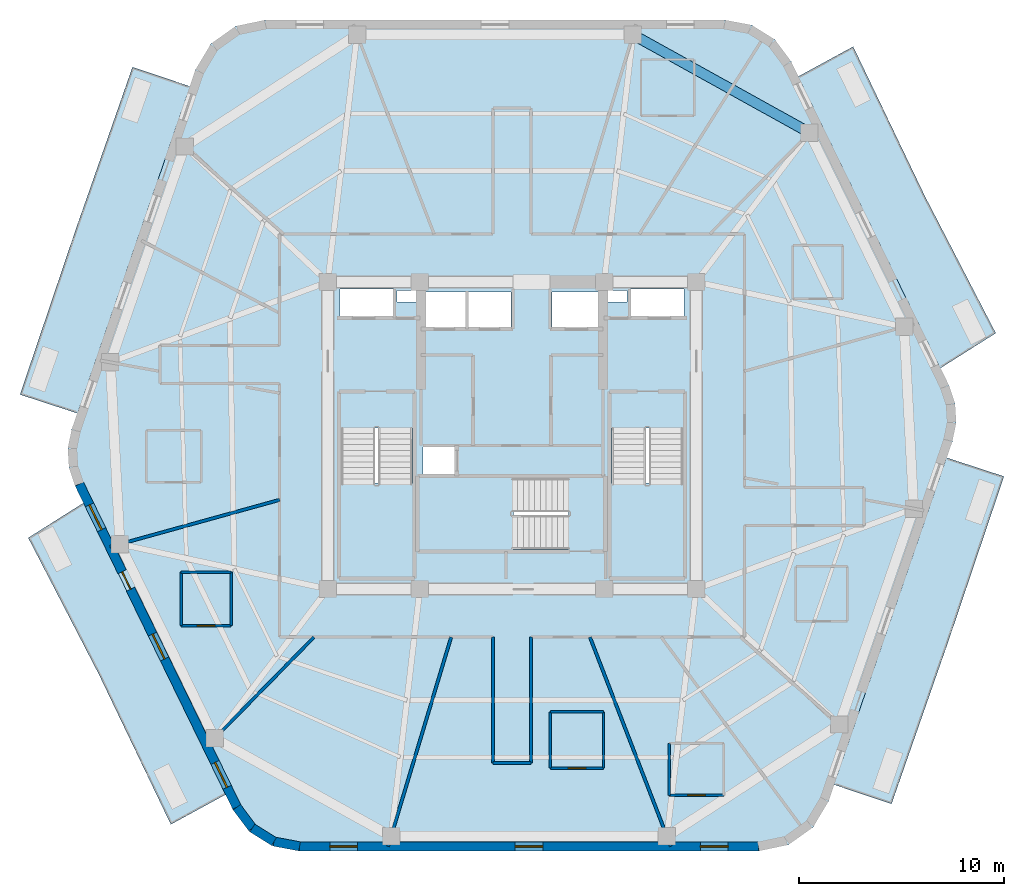
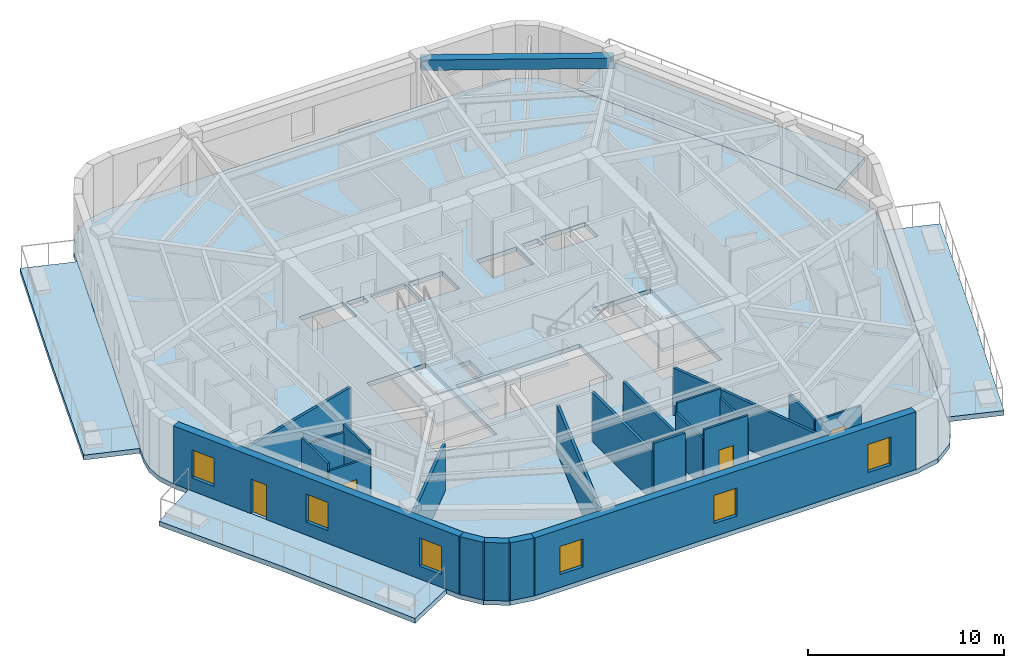
# One storey, part 2 of 9: 22 walls, 8 slabs, 6 windows, 4 doors, 1 beam, 10 openings, 3 elements without a shape of their own.
"""IFC4 building model written with IfcOpenShell, lengths in metres."""

from ifc_helpers import new_model, si_unit, direction, frame, frame_2d, origin, origin_2d, place, context, subcontext, project, spatial, polyline, rectangle, outline, extrude, material, layer, layer_set, material_profile, profile_set, type_object, element, fill, aggregate, save


model = new_model("IFC4")

# Units and contexts
model_context = context("Model", 3, precision=1e-05, world=origin(), true_north=direction((0.0, 1.0)))
body_context = subcontext(model_context, "Body", "Model", "MODEL_VIEW")
ifc_project = project(units=[si_unit("LENGTHUNIT", "METRE"), si_unit("AREAUNIT", "SQUARE_METRE"), si_unit("VOLUMEUNIT", "CUBIC_METRE"), si_unit("PLANEANGLEUNIT", "RADIAN"), si_unit("MASSUNIT", "GRAM", prefix="KILO")], contexts=[model_context])

# Site, building, storey
site_placement = place(None, origin())
site = spatial("IfcSite", under=ifc_project, at=site_placement, CompositionType="ELEMENT")
building_placement = place(site_placement, origin())
building = spatial("IfcBuilding", under=site, at=building_placement, Name="Kilnhurst Terrace Hotel", CompositionType="ELEMENT")
storey_placement = place(building_placement, frame((0.0, 0.0, 273.0)))
storey = spatial("IfcBuildingStorey", under=building, at=storey_placement, Name="L68", CompositionType="ELEMENT", Elevation=273.0)

# Beam
ifc_material_1 = material(Name="Concrete C50/60", Category="concrete")
ifc_material_profile = material_profile(ifc_material_1, rectangle(XDim=0.5, YDim=0.64990234375, at=origin_2d()), Name="RC500X650")
ifc_profile_set = profile_set([ifc_material_profile], Name="Concrete C50/60")
beam_type = type_object("IfcBeamType", Name="BM-SPN-500X650", PredefinedType="SPANDREL", material=ifc_profile_set)
beam_placement = place(storey_placement, frame((14.531005859375, 14.798095703125, 3.27490234375), z_axis=(-0.874527255888, 0.484976369227, 0.0), x_axis=(-0.484976369227, -0.874527255888, 0.0)))
element("IfcBeam", 1, at=beam_placement, inside=storey, type_object=beam_type, Name="L68 Perimeter Spandrel Beam 6", PredefinedType="SPANDREL", context=body_context, shape_type="SweptSolid", body=[
    extrude(rectangle(XDim=0.5, YDim=0.64990234375, at=origin_2d()), origin(), (0.0, 0.0, 1.0), 9.8603515625),
])

# Slabs
ifc_layer_1 = layer(ifc_material_1, 0.300048828125, Name="Concrete C50/60")
ifc_layer_set_1 = layer_set([ifc_layer_1], Name="Concrete C50/60")
slab_type_1 = type_object("IfcSlabType", Name="SLB-BAL-300", PredefinedType="FLOOR", material=ifc_layer_set_1)
slab_1_placement = place(storey_placement, frame((0.0, 0.0, -0.300048828125)))
element("IfcSlab", 2, at=slab_1_placement, inside=storey, type_object=slab_type_1, Name="L68 Cantilevered Planted Terrace Slab BAL-L1A", PredefinedType="FLOOR", context=body_context, shape_type="SweptSolid", body=[
    extrude(outline(polyline([(21.317626953125, -10.054931640625), (18.541259765625, -18.0), (15.725341796875, -17.0556640625), (21.223388671875, -1.0791015625), (24.037353515625, -2.0), (21.317626953125, -10.054931640625)])), origin(), (0.0, 0.0, 1.0), 0.300048828125),
])
slab_2_placement = place(storey_placement, frame((0.0, 0.0, -0.300048828125)))
element("IfcSlab", 3, at=slab_2_placement, inside=storey, type_object=slab_type_1, Name="L68 Cantilevered Planted Terrace Slab BAL-L1B", PredefinedType="FLOOR", context=body_context, shape_type="SweptSolid", body=[
    extrude(outline(polyline([(23.635498046875, 5.0), (20.920166015625, 3.28662109375), (13.9755859375, 17.534912109375), (16.669189453125, 19.0), (20.17919921875, 11.6767578125), (23.635498046875, 5.0)])), origin(), (0.0, 0.0, 1.0), 0.300048828125),
])
slab_3_placement = place(storey_placement, frame((0.0, 0.0, -0.300048828125)))
element("IfcSlab", 4, at=slab_3_placement, inside=storey, type_object=slab_type_1, Name="L68 Cantilevered Planted Terrace Slab BAL-L2A", PredefinedType="FLOOR", context=body_context, shape_type="SweptSolid", body=[
    extrude(outline(polyline([(-18.541259765625, 18.0), (-15.725341796875, 17.0556640625), (-21.223388671875, 1.0791015625), (-24.037353515625, 2.0), (-21.317626953125, 10.054931640625), (-18.541259765625, 18.0)])), origin(), (0.0, 0.0, 1.0), 0.300048828125),
])
slab_4_placement = place(storey_placement, frame((0.0, 0.0, -0.300048828125)))
element("IfcSlab", 5, at=slab_4_placement, inside=storey, type_object=slab_type_1, Name="L68 Cantilevered Planted Terrace Slab BAL-L2B", PredefinedType="FLOOR", context=body_context, shape_type="SweptSolid", body=[
    extrude(outline(polyline([(-23.635498046875, -5.0), (-20.920166015625, -3.28662109375), (-13.9755859375, -17.534912109375), (-16.669189453125, -19.0), (-20.17919921875, -11.6767578125), (-23.635498046875, -5.0)])), origin(), (0.0, 0.0, 1.0), 0.300048828125),
])
ifc_layer_2 = layer(ifc_material_1, 0.280029296875, Name="Concrete C50/60")
ifc_layer_set_2 = layer_set([ifc_layer_2], Name="Concrete C50/60")
slab_type_2 = type_object("IfcSlabType", Name="SLB-FLR-280", PredefinedType="FLOOR", material=ifc_layer_set_2)
slab_5_placement = place(storey_placement, frame((0.0, 0.0, -0.280029296875)))
element("IfcSlab", 6, at=slab_5_placement, inside=storey, type_object=slab_type_2, Name="L68 Structural Floor Slab", PredefinedType="FLOOR", context=body_context, shape_type="SweptSolid", body=[
    extrude(outline(polyline([(-13.635986328125, -18.27734375), (-12.840087890625, -19.3466796875), (-11.709716796875, -20.05322265625), (-10.39990234375, -20.300048828125), (12.061767578125, -20.300048828125), (13.5068359375, -19.9970703125), (14.708984375, -19.139404296875), (15.4658203125, -17.871337890625), (21.51513671875, -0.29248046875), (21.7021484375, 0.627685546875), (21.64501953125, 1.565185546875), (21.34716796875, 2.4560546875), (13.635986328125, 18.27734375), (12.840087890625, 19.3466796875), (11.709716796875, 20.05322265625), (10.39990234375, 20.300048828125), (-12.061767578125, 20.300048828125), (-13.5068359375, 19.9970703125), (-14.708984375, 19.139404296875), (-15.4658203125, 17.871337890625), (-21.51513671875, 0.29248046875), (-21.7021484375, -0.627685546875), (-21.64501953125, -1.565185546875), (-21.34716796875, -2.4560546875), (-13.635986328125, -18.27734375)]), holes=[polyline([(-8.35009765625, 0.35498046875), (-4.8798828125, 0.35498046875), (-4.8798828125, -6.89990234375), (-8.35009765625, -6.89990234375), (-8.35009765625, 0.35498046875)]), polyline([(-2.800048828125, -1.89990234375), (-4.35009765625, -1.89990234375), (-4.35009765625, -0.550048828125), (-2.800048828125, -0.550048828125), (-2.800048828125, -1.89990234375)]), polyline([(-2.25, 5.25), (-4.300048828125, 5.25), (-4.300048828125, 7.0), (-2.25, 7.0), (-2.25, 5.25)]), polyline([(-2.1201171875, 5.25), (-2.1201171875, 7.0), (-0.050048828125, 7.0), (-0.050048828125, 5.25), (-2.1201171875, 5.25)]), polyline([(-8.39990234375, 5.75), (-8.39990234375, 7.14990234375), (-5.800048828125, 7.14990234375), (-5.800048828125, 5.75), (-8.39990234375, 5.75)]), polyline([(-4.659912109375, 6.52001953125), (-5.6201171875, 6.52001953125), (-5.6201171875, 7.080078125), (-4.659912109375, 7.080078125), (-4.659912109375, 6.52001953125)]), polyline([(2.7548828125, -5.550048828125), (-4.5, -5.550048828125), (-4.5, -2.080078125), (2.7548828125, -2.080078125), (2.7548828125, -5.550048828125)]), polyline([(8.35009765625, 0.35498046875), (8.35009765625, -6.89990234375), (4.8798828125, -6.89990234375), (4.8798828125, 0.35498046875), (8.35009765625, 0.35498046875)]), polyline([(4.300048828125, 5.25), (1.949951171875, 5.25), (1.949951171875, 7.0), (4.300048828125, 7.0), (4.300048828125, 5.25)]), polyline([(5.800048828125, 5.75), (5.800048828125, 7.14990234375), (8.39990234375, 7.14990234375), (8.39990234375, 5.75), (5.800048828125, 5.75)]), polyline([(4.659912109375, 6.52001953125), (4.659912109375, 7.080078125), (5.6201171875, 7.080078125), (5.6201171875, 6.52001953125), (4.659912109375, 6.52001953125)])]), origin(), (0.0, 0.0, 1.0), 0.280029296875),
])

# Stair, slab
stair_type = type_object("IfcStairType", Name="STR-CORE-1660", PredefinedType="HALF_TURN_STAIR", material=ifc_material_1)
stair_1_placement = place(storey_placement, origin())
stair_1 = element("IfcStair", 7, at=stair_1_placement, inside=storey, type_object=stair_type, Name="L68 ST-1", PredefinedType="HALF_TURN_STAIR")
ifc_layer_3 = layer(ifc_material_1, 0.199951171875, Name="Concrete C50/60")
ifc_layer_set_3 = layer_set([ifc_layer_3], Name="Concrete C50/60")
slab_type_3 = type_object("IfcSlabType", Name="SLB-ST-LND-200", PredefinedType="LANDING", material=ifc_layer_set_3)
slab_6_placement = place(storey_placement, frame((0.0, 0.0, 1.75)))
slab_6 = element("IfcSlab", 8, at=slab_6_placement, type_object=slab_type_3, Name="ST-1 landing 1", PredefinedType="LANDING", context=body_context, shape_type="SweptSolid", body=[
    extrude(outline(polyline([(-8.429931640625, -2.330078125), (-4.800048828125, -2.330078125), (-4.800048828125, -6.97998046875), (-8.429931640625, -6.97998046875), (-8.429931640625, -2.330078125)])), origin(), (0.0, 0.0, 1.0), 0.199951171875),
])
aggregate(stair_1, [slab_6])

stair_2_placement = place(storey_placement, origin())
stair_2 = element("IfcStair", 9, at=stair_2_placement, inside=storey, type_object=stair_type, Name="L68 ST-2", PredefinedType="HALF_TURN_STAIR")
slab_7_placement = place(storey_placement, frame((0.0, 0.0, 1.75)))
slab_7 = element("IfcSlab", 10, at=slab_7_placement, type_object=slab_type_3, Name="ST-2 landing 1", PredefinedType="LANDING", context=body_context, shape_type="SweptSolid", body=[
    extrude(outline(polyline([(4.800048828125, -2.330078125), (8.429931640625, -2.330078125), (8.429931640625, -6.97998046875), (4.800048828125, -6.97998046875), (4.800048828125, -2.330078125)])), origin(), (0.0, 0.0, 1.0), 0.199951171875),
])
aggregate(stair_2, [slab_7])

stair_3_placement = place(storey_placement, origin())
stair_3 = element("IfcStair", 11, at=stair_3_placement, inside=storey, type_object=stair_type, Name="L68 ST-3", PredefinedType="HALF_TURN_STAIR")
slab_8_placement = place(storey_placement, frame((0.0, 0.0, 1.75)))
slab_8 = element("IfcSlab", 12, at=slab_8_placement, type_object=slab_type_3, Name="ST-3 landing 1", PredefinedType="LANDING", context=body_context, shape_type="SweptSolid", body=[
    extrude(outline(polyline([(0.070068359375, -2.0), (0.070068359375, -5.6298828125), (-4.580078125, -5.6298828125), (-4.580078125, -2.0), (0.070068359375, -2.0)])), origin(), (0.0, 0.0, 1.0), 0.199951171875),
])
aggregate(stair_3, [slab_8])

# Walls
ifc_material_2 = material(Name="Precast concrete C40/50", Category="concrete")
ifc_layer_4 = layer(ifc_material_2, 0.449951171875, Name="Precast concrete C40/50")
ifc_layer_set_4 = layer_set([ifc_layer_4], Name="Precast concrete C40/50")
wall_type_1 = type_object("IfcWallType", Name="WL-BRK-450", PredefinedType="SOLIDWALL", material=ifc_layer_set_4)
wall_1_placement = place(storey_placement, frame((-13.44287109375, -18.159912109375, 0.0), z_axis=(0.0, 0.0, 1.0), x_axis=(0.597042425808, -0.802209661987, 0.0)))
element("IfcWall", 13, at=wall_1_placement, inside=storey, type_object=wall_type_1, Name="L68 Rounded Corner Brick Wall C1.1", PredefinedType="SOLIDWALL", context=body_context, shape_type="SweptSolid", body=[
    extrude(rectangle(XDim=1.269775390625, YDim=0.449951171875, at=frame_2d((0.634765625, 0.0))), origin(), (0.0, 0.0, 1.0), 3.60009765625),
])
wall_2_placement = place(storey_placement, frame((-12.684814453125, -19.178466796875, 0.0), z_axis=(0.0, 0.0, 1.0), x_axis=(0.848031272749, -0.529946186362, 0.0)))
element("IfcWall", 14, at=wall_2_placement, inside=storey, type_object=wall_type_1, Name="L68 Rounded Corner Brick Wall C1.2", PredefinedType="SOLIDWALL", context=body_context, shape_type="SweptSolid", body=[
    extrude(rectangle(XDim=1.248046875, YDim=0.449951171875, at=frame_2d((0.6240234375, 0.0))), origin(), (0.0, 0.0, 1.0), 3.60009765625),
])
wall_3_placement = place(storey_placement, frame((-11.62646484375, -19.83984375, 0.0), z_axis=(0.0, 0.0, 1.0), x_axis=(0.982701956681, -0.185194126083, 0.0)))
element("IfcWall", 15, at=wall_3_placement, inside=storey, type_object=wall_type_1, Name="L68 Rounded Corner Brick Wall C1.3", PredefinedType="SOLIDWALL", context=body_context, shape_type="SweptSolid", body=[
    extrude(rectangle(XDim=1.26953125, YDim=0.449951171875, at=frame_2d((0.634765625, 0.0))), origin(), (0.0, 0.0, 1.0), 3.60009765625),
])

# Wall, openings, windows
wall_4_placement = place(storey_placement, frame((-10.37890625, -20.074951171875, 0.0), z_axis=(0.0, 0.0, 1.0), x_axis=(1.0, 0.0, 0.0)))
wall_4 = element("IfcWall", 16, at=wall_4_placement, inside=storey, type_object=wall_type_1, Name="L68 Exterior Brick Facade Wall F1", PredefinedType="SOLIDWALL", context=body_context, shape_type="SweptSolid", body=[
    extrude(rectangle(XDim=22.417236328125, YDim=0.449951171875, at=frame_2d((11.20849609375, 0.0))), origin(), (0.0, 0.0, 1.0), 3.60009765625),
])
opening_1_placement = place(wall_4_placement, frame((1.47998046875, 0.0, 0.800048828125)))
opening_1 = element("IfcOpeningElement", 17, at=opening_1_placement, cuts=wall_4, Name="Opening W-06", PredefinedType="OPENING", context=body_context, shape_type="SweptSolid", body=[
    extrude(rectangle(XDim=1.35009765625, YDim=1.75, at=frame_2d((0.675048828125, 0.875))), frame((0.0, 0.23486328125, 0.0), z_axis=(0.0, -1.0, 0.0), x_axis=(1.0, 0.0, 0.0)), (0.0, 0.0, 1.0), 0.469970703125),
])
opening_2_placement = place(wall_4_placement, frame((10.533935546875, 0.0, 0.800048828125)))
opening_2 = element("IfcOpeningElement", 18, at=opening_2_placement, cuts=wall_4, Name="Opening W-06", PredefinedType="OPENING", context=body_context, shape_type="SweptSolid", body=[
    extrude(rectangle(XDim=1.35009765625, YDim=1.75, at=frame_2d((0.675048828125, 0.875))), frame((0.0, 0.23486328125, 0.0), z_axis=(0.0, -1.0, 0.0), x_axis=(1.0, 0.0, 0.0)), (0.0, 0.0, 1.0), 0.469970703125),
])
opening_3_placement = place(wall_4_placement, frame((19.5869140625, 0.0, 0.800048828125)))
opening_3 = element("IfcOpeningElement", 19, at=opening_3_placement, cuts=wall_4, Name="Opening W-06", PredefinedType="OPENING", context=body_context, shape_type="SweptSolid", body=[
    extrude(rectangle(XDim=1.35009765625, YDim=1.75, at=frame_2d((0.675048828125, 0.875))), frame((0.0, 0.23486328125, 0.0), z_axis=(0.0, -1.0, 0.0), x_axis=(1.0, 0.0, 0.0)), (0.0, 0.0, 1.0), 0.469970703125),
])
ifc_material_3 = material(Name="Thermally Broken Bronze Aluminium Alloy 6063-T6 and Low-E Glass", Category="aluminium")
window_type = type_object("IfcWindowType", Name="WIN-1350X1750", PartitioningType="SINGLE_PANEL", PredefinedType="WINDOW", material=ifc_material_3)
window_1_placement = place(opening_1_placement, origin())
window_1 = element("IfcWindow", 20, at=window_1_placement, inside=storey, type_object=window_type, Name="L68 Deep-Set Masonry Window F1.1", OverallHeight=1.75, OverallWidth=1.35009765625, PartitioningType="SINGLE_PANEL", PredefinedType="WINDOW", context=body_context, shape_type="SweptSolid", body=[
    extrude(rectangle(XDim=1.35009765625, YDim=1.75, at=frame_2d((0.675048828125, 0.875))), frame((0.0, 0.030029296875, 0.0), z_axis=(0.0, -1.0, 0.0), x_axis=(1.0, 0.0, 0.0)), (0.0, 0.0, 1.0), 0.06005859375),
])
fill(opening_1, window_1)
window_2_placement = place(opening_2_placement, origin())
window_2 = element("IfcWindow", 21, at=window_2_placement, inside=storey, type_object=window_type, Name="L68 Deep-Set Masonry Window F1.2", OverallHeight=1.75, OverallWidth=1.35009765625, PartitioningType="SINGLE_PANEL", PredefinedType="WINDOW", context=body_context, shape_type="SweptSolid", body=[
    extrude(rectangle(XDim=1.35009765625, YDim=1.75, at=frame_2d((0.675048828125, 0.875))), frame((0.0, 0.030029296875, 0.0), z_axis=(0.0, -1.0, 0.0), x_axis=(1.0, 0.0, 0.0)), (0.0, 0.0, 1.0), 0.06005859375),
])
fill(opening_2, window_2)
window_3_placement = place(opening_3_placement, origin())
window_3 = element("IfcWindow", 22, at=window_3_placement, inside=storey, type_object=window_type, Name="L68 Deep-Set Masonry Window F1.3", OverallHeight=1.75, OverallWidth=1.35009765625, PartitioningType="SINGLE_PANEL", PredefinedType="WINDOW", context=body_context, shape_type="SweptSolid", body=[
    extrude(rectangle(XDim=1.35009765625, YDim=1.75, at=frame_2d((0.675048828125, 0.875))), frame((0.0, 0.030029296875, 0.0), z_axis=(0.0, -1.0, 0.0), x_axis=(1.0, 0.0, 0.0)), (0.0, 0.0, 1.0), 0.06005859375),
])
fill(opening_3, window_3)

# Wall, openings, door, windows
wall_5_placement = place(storey_placement, frame((-21.138427734375, -2.370849609375, 0.0), z_axis=(0.0, 0.0, 1.0), x_axis=(0.438128124058, -0.89891253574, 0.0)))
wall_5 = element("IfcWall", 23, at=wall_5_placement, inside=storey, type_object=wall_type_1, Name="L68 Exterior Brick Facade Wall F6", PredefinedType="SOLIDWALL", context=body_context, shape_type="SweptSolid", body=[
    extrude(rectangle(XDim=17.564697265625, YDim=0.449951171875, at=frame_2d((8.7822265625, 0.0))), origin(), (0.0, 0.0, 1.0), 3.60009765625),
])
opening_4_placement = place(wall_5_placement, frame((4.76904296875, 0.0, 0.0)))
opening_4 = element("IfcOpeningElement", 24, at=opening_4_placement, cuts=wall_5, Name="Opening BD-950", PredefinedType="OPENING", context=body_context, shape_type="SweptSolid", body=[
    extrude(rectangle(XDim=0.949951171875, YDim=2.14990234375, at=frame_2d((0.47509765625, 1.074951171875))), frame((0.0, 0.23486328125, 0.0), z_axis=(0.0, -1.0, 0.0), x_axis=(1.0, 0.0, 0.0)), (0.0, 0.0, 1.0), 0.469970703125),
])
opening_5_placement = place(wall_5_placement, frame((1.133056640625, 0.0, 0.800048828125)))
opening_5 = element("IfcOpeningElement", 25, at=opening_5_placement, cuts=wall_5, Name="Opening W-06", PredefinedType="OPENING", context=body_context, shape_type="SweptSolid", body=[
    extrude(rectangle(XDim=1.35009765625, YDim=1.75, at=frame_2d((0.675048828125, 0.875))), frame((0.0, 0.23486328125, 0.0), z_axis=(0.0, -1.0, 0.0), x_axis=(1.0, 0.0, 0.0)), (0.0, 0.0, 1.0), 0.469970703125),
])
opening_6_placement = place(wall_5_placement, frame((8.157958984375, 0.0, 0.800048828125)))
opening_6 = element("IfcOpeningElement", 26, at=opening_6_placement, cuts=wall_5, Name="Opening W-06", PredefinedType="OPENING", context=body_context, shape_type="SweptSolid", body=[
    extrude(rectangle(XDim=1.35009765625, YDim=1.75, at=frame_2d((0.675048828125, 0.875))), frame((0.0, 0.23486328125, 0.0), z_axis=(0.0, -1.0, 0.0), x_axis=(1.0, 0.0, 0.0)), (0.0, 0.0, 1.0), 0.469970703125),
])
opening_7_placement = place(wall_5_placement, frame((15.132080078125, 0.0, 0.800048828125)))
opening_7 = element("IfcOpeningElement", 27, at=opening_7_placement, cuts=wall_5, Name="Opening W-06", PredefinedType="OPENING", context=body_context, shape_type="SweptSolid", body=[
    extrude(rectangle(XDim=1.35009765625, YDim=1.75, at=frame_2d((0.675048828125, 0.875))), frame((0.0, 0.23486328125, 0.0), z_axis=(0.0, -1.0, 0.0), x_axis=(1.0, 0.0, 0.0)), (0.0, 0.0, 1.0), 0.469970703125),
])
ifc_material_4 = material(Name="Thermally Broken Bronze Aluminium Alloy 6063-T6 and Laminated Glass", Category="aluminium")
door_type_1 = type_object("IfcDoorType", Name="DR-EXT-BAL-950", OperationType="NOTDEFINED", PredefinedType="DOOR", material=ifc_material_4)
door_1_placement = place(opening_4_placement, origin())
door_1 = element("IfcDoor", 28, at=door_1_placement, inside=storey, type_object=door_type_1, Name="L68 Planted Balcony Door BAL-L2B", OperationType="SINGLE_SWING_RIGHT", OverallHeight=2.14990234375, OverallWidth=0.949951171875, PredefinedType="DOOR", context=body_context, shape_type="SweptSolid", body=[
    extrude(rectangle(XDim=0.949951171875, YDim=2.14990234375, at=frame_2d((0.47509765625, 1.074951171875))), frame((0.0, 0.02490234375, 0.0), z_axis=(0.0, -1.0, 0.0), x_axis=(1.0, 0.0, 0.0)), (0.0, 0.0, 1.0), 0.050048828125),
])
fill(opening_4, door_1)
window_4_placement = place(opening_5_placement, origin())
window_4 = element("IfcWindow", 29, at=window_4_placement, inside=storey, type_object=window_type, Name="L68 Deep-Set Masonry Window F6.1", OverallHeight=1.75, OverallWidth=1.35009765625, PartitioningType="SINGLE_PANEL", PredefinedType="WINDOW", context=body_context, shape_type="SweptSolid", body=[
    extrude(rectangle(XDim=1.35009765625, YDim=1.75, at=frame_2d((0.675048828125, 0.875))), frame((0.0, 0.030029296875, 0.0), z_axis=(0.0, -1.0, 0.0), x_axis=(1.0, 0.0, 0.0)), (0.0, 0.0, 1.0), 0.06005859375),
])
fill(opening_5, window_4)
window_5_placement = place(opening_6_placement, origin())
window_5 = element("IfcWindow", 30, at=window_5_placement, inside=storey, type_object=window_type, Name="L68 Deep-Set Masonry Window F6.2", OverallHeight=1.75, OverallWidth=1.35009765625, PartitioningType="SINGLE_PANEL", PredefinedType="WINDOW", context=body_context, shape_type="SweptSolid", body=[
    extrude(rectangle(XDim=1.35009765625, YDim=1.75, at=frame_2d((0.675048828125, 0.875))), frame((0.0, 0.030029296875, 0.0), z_axis=(0.0, -1.0, 0.0), x_axis=(1.0, 0.0, 0.0)), (0.0, 0.0, 1.0), 0.06005859375),
])
fill(opening_6, window_5)
window_6_placement = place(opening_7_placement, origin())
window_6 = element("IfcWindow", 31, at=window_6_placement, inside=storey, type_object=window_type, Name="L68 Deep-Set Masonry Window F6.3", OverallHeight=1.75, OverallWidth=1.35009765625, PartitioningType="SINGLE_PANEL", PredefinedType="WINDOW", context=body_context, shape_type="SweptSolid", body=[
    extrude(rectangle(XDim=1.35009765625, YDim=1.75, at=frame_2d((0.675048828125, 0.875))), frame((0.0, 0.030029296875, 0.0), z_axis=(0.0, -1.0, 0.0), x_axis=(1.0, 0.0, 0.0)), (0.0, 0.0, 1.0), 0.06005859375),
])
fill(opening_7, window_6)

# Walls
ifc_material_5 = material(Name="Acoustic Double-Gypsum Corridor Partition Assembly")
ifc_layer_5 = layer(ifc_material_5, 0.14990234375, Name="Acoustic Double-Gypsum Corridor Partition Assembly")
ifc_layer_set_5 = layer_set([ifc_layer_5], Name="Acoustic Double-Gypsum Corridor Partition Assembly")
wall_type_2 = type_object("IfcWallType", Name="WL-COR-150", PredefinedType="PARTITIONING", material=ifc_layer_set_5)
wall_6_placement = place(storey_placement, frame((0.919921875, -9.85009765625, 0.0), z_axis=(0.0, 0.0, 1.0), x_axis=(0.0, -1.0, 0.0)))
element("IfcWall", 32, at=wall_6_placement, inside=storey, type_object=wall_type_2, Name="L68 Interior Wall WL-L68-COR-17", PredefinedType="PARTITIONING", context=body_context, shape_type="SweptSolid", body=[
    extrude(rectangle(XDim=6.14990234375, YDim=0.14990234375, at=frame_2d((3.074951171875, 0.0))), origin(), (0.0, 0.0, 1.0), 3.04052734375),
])
wall_7_placement = place(storey_placement, frame((0.919921875, -16.0, 0.0), z_axis=(0.0, 0.0, 1.0), x_axis=(-1.0, 0.0, 0.0)))
element("IfcWall", 33, at=wall_7_placement, inside=storey, type_object=wall_type_2, Name="L68 Interior Wall WL-L68-COR-18", PredefinedType="PARTITIONING", context=body_context, shape_type="SweptSolid", body=[
    extrude(rectangle(XDim=1.83984375, YDim=0.14990234375, at=frame_2d((0.919921875, 0.0))), origin(), (0.0, 0.0, 1.0), 3.60009765625),
])
wall_8_placement = place(storey_placement, frame((-0.919921875, -16.0, 0.0), z_axis=(0.0, 0.0, 1.0), x_axis=(0.0, 1.0, 0.0)))
element("IfcWall", 34, at=wall_8_placement, inside=storey, type_object=wall_type_2, Name="L68 Interior Wall WL-L68-COR-19", PredefinedType="PARTITIONING", context=body_context, shape_type="SweptSolid", body=[
    extrude(rectangle(XDim=6.14990234375, YDim=0.14990234375, at=frame_2d((3.074951171875, 0.0))), origin(), (0.0, 0.0, 1.0), 3.04052734375),
])
ifc_material_6 = material(Name="STC-58 Acoustic Twin-Frame Guestroom Demising Partition")
ifc_layer_6 = layer(ifc_material_6, 0.14990234375, Name="STC-58 Acoustic Twin-Frame Guestroom Demising Partition")
ifc_layer_set_6 = layer_set([ifc_layer_6], Name="STC-58 Acoustic Twin-Frame Guestroom Demising Partition")
wall_type_3 = type_object("IfcWallType", Name="WL-DEM-150", PredefinedType="PARTITIONING", material=ifc_layer_set_6)
wall_9_placement = place(storey_placement, frame((-11.35009765625, -3.142822265625, 0.0), z_axis=(0.0, 0.0, 1.0), x_axis=(-0.963731818141, -0.266872596386, 0.0)))
element("IfcWall", 35, at=wall_9_placement, inside=storey, type_object=wall_type_3, Name="L68 Interior Wall WL-L68-DEM-COL07-09-1", PredefinedType="PARTITIONING", context=body_context, shape_type="SweptSolid", body=[
    extrude(rectangle(XDim=8.604736328125, YDim=0.14990234375, at=frame_2d((4.30224609375, 0.0))), origin(), (0.0, 0.0, 1.0), 2.93994140625),
])
wall_10_placement = place(storey_placement, frame((-9.67236328125, -9.85009765625, 0.0), z_axis=(0.0, 0.0, 1.0), x_axis=(-0.700629771301, -0.713524998558, 0.0)))
element("IfcWall", 36, at=wall_10_placement, inside=storey, type_object=wall_type_3, Name="L68 Interior Wall WL-L68-DEM-COL08-10-1", PredefinedType="PARTITIONING", context=body_context, shape_type="SweptSolid", body=[
    extrude(rectangle(XDim=7.45947265625, YDim=0.14990234375, at=frame_2d((3.729736328125, 0.0))), origin(), (0.0, 0.0, 1.0), 2.93994140625),
])
wall_11_placement = place(storey_placement, frame((-2.97216796875, -9.85009765625, 0.0), z_axis=(0.0, 0.0, 1.0), x_axis=(-0.288872169679, -0.957367677324, 0.0)))
element("IfcWall", 37, at=wall_11_placement, inside=storey, type_object=wall_type_3, Name="L68 Interior Wall WL-L68-DEM-COL09-11-1", PredefinedType="PARTITIONING", context=body_context, shape_type="SweptSolid", body=[
    extrude(rectangle(XDim=10.68017578125, YDim=0.14990234375, at=frame_2d((5.340087890625, 0.0))), origin(), (0.0, 0.0, 1.0), 2.93994140625),
])
wall_12_placement = place(storey_placement, frame((3.8076171875, -9.85009765625, 0.0), z_axis=(0.0, 0.0, 1.0), x_axis=(0.360587327934, -0.932725457427, 0.0)))
element("IfcWall", 38, at=wall_12_placement, inside=storey, type_object=wall_type_3, Name="L68 Interior Wall WL-L68-DEM-COL10-12-1", PredefinedType="PARTITIONING", context=body_context, shape_type="SweptSolid", body=[
    extrude(rectangle(XDim=10.96240234375, YDim=0.14990234375, at=frame_2d((5.481201171875, 0.0))), origin(), (0.0, 0.0, 1.0), 2.93994140625),
])

# Wall, opening, door
ifc_material_7 = material(Name="120 mm Moisture-Resistant Tile-Backed Bathroom Partition")
ifc_layer_7 = layer(ifc_material_7, 0.1201171875, Name="120 mm Moisture-Resistant Tile-Backed Bathroom Partition")
ifc_layer_set_7 = layer_set([ifc_layer_7], Name="120 mm Moisture-Resistant Tile-Backed Bathroom Partition")
wall_type_4 = type_object("IfcWallType", Name="WL-PART-120", PredefinedType="PARTITIONING", material=ifc_layer_set_7)
wall_13_placement = place(storey_placement, frame((-16.1630859375, -9.287109375, 0.0), z_axis=(0.0, 0.0, 1.0), x_axis=(1.0, 0.0, 0.0)))
wall_13 = element("IfcWall", 39, at=wall_13_placement, inside=storey, type_object=wall_type_4, Name="L68 Interior Wall WL-L68-BTH-09-1", PredefinedType="PARTITIONING", context=body_context, shape_type="SweptSolid", body=[
    extrude(rectangle(XDim=2.440185546875, YDim=0.1201171875, at=frame_2d((1.22021484375, 0.0))), origin(), (0.0, 0.0, 1.0), 3.12646484375),
])
opening_8_placement = place(wall_13_placement, frame((0.794921875, 0.0, 0.0)))
opening_8 = element("IfcOpeningElement", 40, at=opening_8_placement, cuts=wall_13, Name="Opening D-08A", PredefinedType="OPENING", context=body_context, shape_type="SweptSolid", body=[
    extrude(rectangle(XDim=0.85009765625, YDim=2.030029296875, at=frame_2d((0.425048828125, 1.01513671875))), frame((0.0, 0.070068359375, 0.0), z_axis=(0.0, -1.0, 0.0), x_axis=(1.0, 0.0, 0.0)), (0.0, 0.0, 1.0), 0.14013671875),
])
ifc_material_8 = material(Name="Moisture-Resistant Lacquered En-suite Bathroom Door")
door_type_2 = type_object("IfcDoorType", Name="DR-INT-850", OperationType="NOTDEFINED", PredefinedType="DOOR", material=ifc_material_8)
door_2_placement = place(opening_8_placement, origin())
door_2 = element("IfcDoor", 41, at=door_2_placement, inside=storey, type_object=door_type_2, Name="L68 En-suite Bathroom Door 9", OperationType="SINGLE_SWING_RIGHT", OverallHeight=2.030029296875, OverallWidth=0.85009765625, PredefinedType="DOOR", context=body_context, shape_type="SweptSolid", body=[
    extrude(rectangle(XDim=0.85009765625, YDim=2.030029296875, at=frame_2d((0.425048828125, 1.01513671875))), frame((0.0, 0.02490234375, 0.0), z_axis=(0.0, -1.0, 0.0), x_axis=(1.0, 0.0, 0.0)), (0.0, 0.0, 1.0), 0.050048828125),
])
fill(opening_8, door_2)

# Walls
wall_14_placement = place(storey_placement, frame((-13.722900390625, -9.287109375, 0.0), z_axis=(0.0, 0.0, 1.0), x_axis=(0.0, 1.0, 0.0)))
element("IfcWall", 42, at=wall_14_placement, inside=storey, type_object=wall_type_4, Name="L68 Interior Wall WL-L68-BTH-09-2", PredefinedType="PARTITIONING", context=body_context, shape_type="SweptSolid", body=[
    extrude(rectangle(XDim=2.610107421875, YDim=0.1201171875, at=frame_2d((1.30517578125, 0.0))), origin(), (0.0, 0.0, 1.0), 3.60009765625),
])
wall_15_placement = place(storey_placement, frame((-13.722900390625, -6.677001953125, 0.0), z_axis=(0.0, 0.0, 1.0), x_axis=(-1.0, 0.0, 0.0)))
element("IfcWall", 43, at=wall_15_placement, inside=storey, type_object=wall_type_4, Name="L68 Interior Wall WL-L68-BTH-09-3", PredefinedType="PARTITIONING", context=body_context, shape_type="SweptSolid", body=[
    extrude(rectangle(XDim=2.440185546875, YDim=0.1201171875, at=frame_2d((1.22021484375, 0.0))), origin(), (0.0, 0.0, 1.0), 3.12646484375),
])
wall_16_placement = place(storey_placement, frame((-16.1630859375, -6.677001953125, 0.0), z_axis=(0.0, 0.0, 1.0), x_axis=(0.0, -1.0, 0.0)))
element("IfcWall", 44, at=wall_16_placement, inside=storey, type_object=wall_type_4, Name="L68 Interior Wall WL-L68-BTH-09-4", PredefinedType="PARTITIONING", context=body_context, shape_type="SweptSolid", body=[
    extrude(rectangle(XDim=2.610107421875, YDim=0.1201171875, at=frame_2d((1.30517578125, 0.0))), origin(), (0.0, 0.0, 1.0), 3.60009765625),
])

# Wall, opening, door
wall_17_placement = place(storey_placement, frame((1.87109375, -16.25, 0.0), z_axis=(0.0, 0.0, 1.0), x_axis=(1.0, 0.0, 0.0)))
wall_17 = element("IfcWall", 45, at=wall_17_placement, inside=storey, type_object=wall_type_4, Name="L68 Interior Wall WL-L68-BTH-11-1", PredefinedType="PARTITIONING", context=body_context, shape_type="SweptSolid", body=[
    extrude(rectangle(XDim=2.599853515625, YDim=0.1201171875, at=frame_2d((1.2998046875, 0.0))), origin(), (0.0, 0.0, 1.0), 3.60009765625),
])
opening_9_placement = place(wall_17_placement, frame((0.875, 0.0, 0.0)))
opening_9 = element("IfcOpeningElement", 46, at=opening_9_placement, cuts=wall_17, Name="Opening D-08A", PredefinedType="OPENING", context=body_context, shape_type="SweptSolid", body=[
    extrude(rectangle(XDim=0.85009765625, YDim=2.030029296875, at=frame_2d((0.425048828125, 1.01513671875))), frame((0.0, 0.070068359375, 0.0), z_axis=(0.0, -1.0, 0.0), x_axis=(1.0, 0.0, 0.0)), (0.0, 0.0, 1.0), 0.14013671875),
])
door_3_placement = place(opening_9_placement, origin())
door_3 = element("IfcDoor", 47, at=door_3_placement, inside=storey, type_object=door_type_2, Name="L68 En-suite Bathroom Door 11", OperationType="SINGLE_SWING_RIGHT", OverallHeight=2.030029296875, OverallWidth=0.85009765625, PredefinedType="DOOR", context=body_context, shape_type="SweptSolid", body=[
    extrude(rectangle(XDim=0.85009765625, YDim=2.030029296875, at=frame_2d((0.425048828125, 1.01513671875))), frame((0.0, 0.02490234375, 0.0), z_axis=(0.0, -1.0, 0.0), x_axis=(1.0, 0.0, 0.0)), (0.0, 0.0, 1.0), 0.050048828125),
])
fill(opening_9, door_3)

# Walls
wall_18_placement = place(storey_placement, frame((4.470947265625, -16.25, 0.0), z_axis=(0.0, 0.0, 1.0), x_axis=(0.0, 1.0, 0.0)))
element("IfcWall", 48, at=wall_18_placement, inside=storey, type_object=wall_type_4, Name="L68 Interior Wall WL-L68-BTH-11-2", PredefinedType="PARTITIONING", context=body_context, shape_type="SweptSolid", body=[
    extrude(rectangle(XDim=2.75, YDim=0.1201171875, at=frame_2d((1.375, 0.0))), origin(), (0.0, 0.0, 1.0), 3.04052734375),
])
wall_19_placement = place(storey_placement, frame((4.470947265625, -13.5, 0.0), z_axis=(0.0, 0.0, 1.0), x_axis=(-1.0, 0.0, 0.0)))
element("IfcWall", 49, at=wall_19_placement, inside=storey, type_object=wall_type_4, Name="L68 Interior Wall WL-L68-BTH-11-3", PredefinedType="PARTITIONING", context=body_context, shape_type="SweptSolid", body=[
    extrude(rectangle(XDim=2.599853515625, YDim=0.1201171875, at=frame_2d((1.2998046875, 0.0))), origin(), (0.0, 0.0, 1.0), 3.60009765625),
])
wall_20_placement = place(storey_placement, frame((1.87109375, -13.5, 0.0), z_axis=(0.0, 0.0, 1.0), x_axis=(0.0, -1.0, 0.0)))
element("IfcWall", 50, at=wall_20_placement, inside=storey, type_object=wall_type_4, Name="L68 Interior Wall WL-L68-BTH-11-4", PredefinedType="PARTITIONING", context=body_context, shape_type="SweptSolid", body=[
    extrude(rectangle(XDim=2.75, YDim=0.1201171875, at=frame_2d((1.375, 0.0))), origin(), (0.0, 0.0, 1.0), 3.04052734375),
])

# Wall, opening, door
wall_21_placement = place(storey_placement, frame((7.674072265625, -17.5810546875, 0.0), z_axis=(0.0, 0.0, 1.0), x_axis=(1.0, 0.0, 0.0)))
wall_21 = element("IfcWall", 51, at=wall_21_placement, inside=storey, type_object=wall_type_4, Name="L68 Interior Wall WL-L68-BTH-12-1", PredefinedType="PARTITIONING", context=body_context, shape_type="SweptSolid", body=[
    extrude(rectangle(XDim=2.679931640625, YDim=0.1201171875, at=frame_2d((1.33984375, 0.0))), origin(), (0.0, 0.0, 1.0), 2.93994140625),
])
opening_10_placement = place(wall_21_placement, frame((0.9150390625, 0.0, 0.0)))
opening_10 = element("IfcOpeningElement", 52, at=opening_10_placement, cuts=wall_21, Name="Opening D-08A", PredefinedType="OPENING", context=body_context, shape_type="SweptSolid", body=[
    extrude(rectangle(XDim=0.85009765625, YDim=2.030029296875, at=frame_2d((0.425048828125, 1.01513671875))), frame((0.0, 0.070068359375, 0.0), z_axis=(0.0, -1.0, 0.0), x_axis=(1.0, 0.0, 0.0)), (0.0, 0.0, 1.0), 0.14013671875),
])
door_4_placement = place(opening_10_placement, origin())
door_4 = element("IfcDoor", 53, at=door_4_placement, inside=storey, type_object=door_type_2, Name="L68 En-suite Bathroom Door 12", OperationType="SINGLE_SWING_LEFT", OverallHeight=2.030029296875, OverallWidth=0.85009765625, PredefinedType="DOOR", context=body_context, shape_type="SweptSolid", body=[
    extrude(rectangle(XDim=0.85009765625, YDim=2.030029296875, at=frame_2d((0.425048828125, 1.01513671875))), frame((0.0, 0.02490234375, 0.0), z_axis=(0.0, -1.0, 0.0), x_axis=(1.0, 0.0, 0.0)), (0.0, 0.0, 1.0), 0.050048828125),
])
fill(opening_10, door_4)

# Wall
wall_22_placement = place(storey_placement, frame((7.674072265625, -15.041015625, 0.0), z_axis=(0.0, 0.0, 1.0), x_axis=(0.0, -1.0, 0.0)))
element("IfcWall", 54, at=wall_22_placement, inside=storey, type_object=wall_type_4, Name="L68 Interior Wall WL-L68-BTH-12-4", PredefinedType="PARTITIONING", context=body_context, shape_type="SweptSolid", body=[
    extrude(rectangle(XDim=2.5400390625, YDim=0.1201171875, at=frame_2d((1.27001953125, 0.0))), origin(), (0.0, 0.0, 1.0), 3.04052734375),
])

save(model, "model.ifc")
